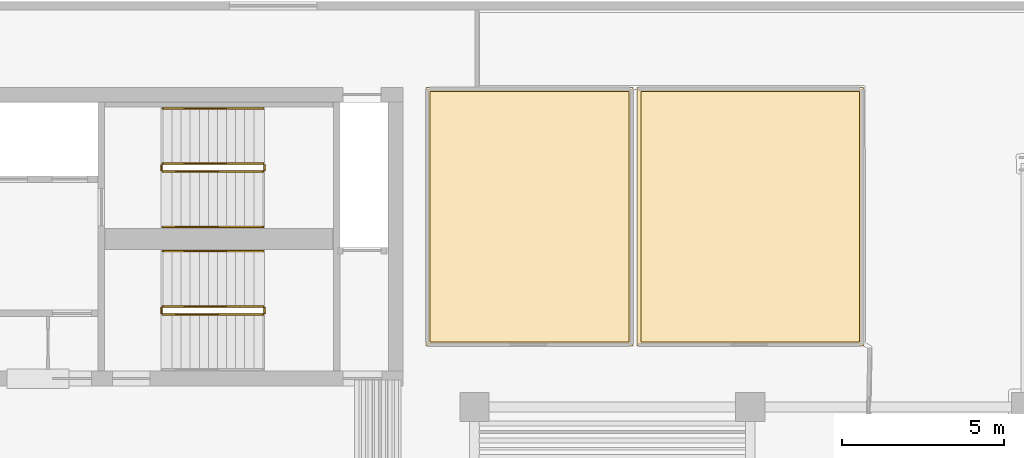
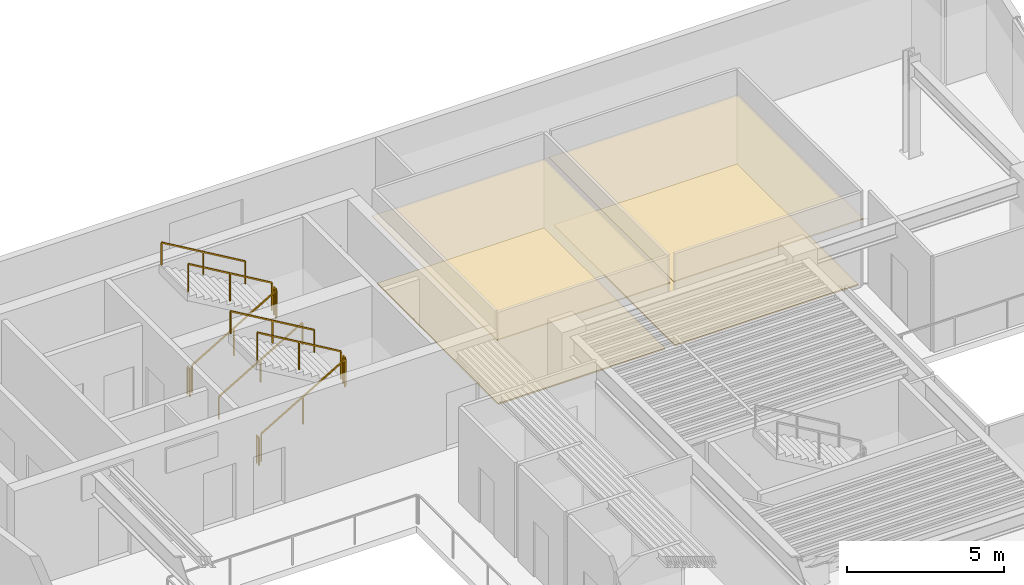
# One storey, part 9 of 10: 11 railings, 4 coverings.
"""IFC4 building model written with IfcOpenShell, lengths in metres."""

import ifcopenshell
import ifcopenshell.guid

model = None  # the IFC model being written
_history = None  # IfcOwnerHistory: only IFC2X3 demands one
_inside = {}  # id of a spatial element -> (the spatial element, [elements in it])
_under = {}  # id of a project, library or spatial element -> (it, [spatial elements below it])
_declared = {}  # id of a project -> (the project, [libraries it declares])
_typed = {}  # id of a type object -> (the type object, [elements of that type])
_made_of = {}  # id of a material, layer set ... -> (it, [elements and type objects made of it])


def new_model(schema):
    """Start an empty IFC model of exactly this schema.

    Asked for "IFC4X3", IfcOpenShell would pick the latest addendum, in which some entities
    have other attributes; the version numbers below select the first issue.
    IFC2X3 requires an IfcOwnerHistory on every rooted entity: one is made here for all.
    """
    global model, _history
    if schema == "IFC4X3":
        model = ifcopenshell.file(schema_version=(4, 3, 0, 0))
    else:
        model = ifcopenshell.file(schema=schema)
    _inside.clear()
    _under.clear()
    _declared.clear()
    _typed.clear()
    _made_of.clear()
    _history = None
    if model.schema == "IFC2X3":
        org = make("IfcOrganization", Name="unknown")
        user = make(
            "IfcPersonAndOrganization",
            ThePerson=make("IfcPerson", FamilyName="unknown"),
            TheOrganization=org,
        )
        app = make(
            "IfcApplication",
            ApplicationDeveloper=org,
            Version="unknown",
            ApplicationFullName="unknown",
            ApplicationIdentifier="unknown",
        )
        _history = make(
            "IfcOwnerHistory",
            OwningUser=user,
            OwningApplication=app,
            ChangeAction="ADDED",
            CreationDate=0,
        )
    return model


def make(cls, **values):
    """One entity of the class cls with the attributes given. An attribute that is None is left unset."""
    return model.create_entity(
        cls, **{name: value for name, value in values.items() if value is not None}
    )


def rooted(cls, **values):
    """An entity with a GlobalId (a new one), such as an element, a storey or a relation."""
    return make(cls, GlobalId=ifcopenshell.guid.new(), OwnerHistory=_history, **values)


def si_unit(unit_type, name, prefix=None):
    """IfcSIUnit, for example si_unit("LENGTHUNIT", "METRE", prefix="MILLI")."""
    return make("IfcSIUnit", UnitType=unit_type, Prefix=prefix, Name=name)


def assignment(units):
    """IfcUnitAssignment: the units of a project."""
    return None if units is None else make("IfcUnitAssignment", Units=units)


def point(xyz):
    """IfcCartesianPoint."""
    return None if xyz is None else make("IfcCartesianPoint", Coordinates=xyz)


def direction(xyz):
    """IfcDirection."""
    return None if xyz is None else make("IfcDirection", DirectionRatios=xyz)


def frame(location, z_axis=None, x_axis=None):
    """IfcAxis2Placement3D, a coordinate frame: its origin and axes. An axis left out is left unset."""
    return make(
        "IfcAxis2Placement3D",
        Location=point(location),
        Axis=direction(z_axis),
        RefDirection=direction(x_axis),
    )


def frame_2d(location, x_axis=None):
    """IfcAxis2Placement2D, a coordinate frame in the plane: its origin and x axis."""
    return make(
        "IfcAxis2Placement2D", Location=point(location), RefDirection=direction(x_axis)
    )


def origin():
    """The frame at (0, 0, 0) with its axes left unset."""
    return frame((0.0, 0.0, 0.0))


def origin_2d():
    """The frame at (0, 0) in the plane with its x axis left unset."""
    return frame_2d((0.0, 0.0))


def place(relative_to, where):
    """IfcLocalPlacement: puts the frame where relative to a parent placement (None: the world)."""
    return make(
        "IfcLocalPlacement", PlacementRelTo=relative_to, RelativePlacement=where
    )


def context(
    kind, dimensions, precision=None, world=None, true_north=None, identifier=None
):
    """IfcGeometricRepresentationContext, for example the 3D "Model" context."""
    return make(
        "IfcGeometricRepresentationContext",
        ContextIdentifier=identifier,
        ContextType=kind,
        CoordinateSpaceDimension=dimensions,
        Precision=precision,
        WorldCoordinateSystem=world,
        TrueNorth=true_north,
    )


def subcontext(parent, identifier, kind, view, scale=None):
    """IfcGeometricRepresentationSubContext, for example "Body" below "Model"."""
    return make(
        "IfcGeometricRepresentationSubContext",
        ContextIdentifier=identifier,
        ContextType=kind,
        ParentContext=parent,
        TargetScale=scale,
        TargetView=view,
    )


def project(units=None, contexts=None):
    """IfcProject with its units and contexts."""
    return rooted(
        "IfcProject",
        Name="project",
        RepresentationContexts=contexts,
        UnitsInContext=assignment(units),
    )


def spatial(cls, under=None, at=None, **own):
    """A site, building, storey or space (cls), placed at a placement, below another one or the project."""
    s = rooted(cls, ObjectPlacement=at, **own)
    if under is not None:
        _under.setdefault(under.id(), (under, []))[1].append(s)
    return s


def polyline(points):
    """IfcPolyline through the points."""
    return make("IfcPolyline", Points=[point(p) for p in points])


def profile(cls, at=None, kind="AREA", **sizes):
    """A parametric profile (cls). Its sizes go by their IFC names, for example OverallWidth=200.0."""
    return make(cls, ProfileType=kind, Position=at, **sizes)


def rectangle(**sizes):
    """IfcRectangleProfileDef."""
    return profile("IfcRectangleProfileDef", **sizes)


def outline(outer, holes=None, kind="AREA"):
    """IfcArbitraryClosedProfileDef: a profile drawn as a closed curve; with holes, ...WithVoids."""
    if holes is None:
        return make("IfcArbitraryClosedProfileDef", ProfileType=kind, OuterCurve=outer)
    return make(
        "IfcArbitraryProfileDefWithVoids",
        ProfileType=kind,
        OuterCurve=outer,
        InnerCurves=holes,
    )


def extrude(swept, where, along, depth):
    """IfcExtrudedAreaSolid: the profile swept, set in the frame where, extruded along a direction by depth."""
    return make(
        "IfcExtrudedAreaSolid",
        SweptArea=swept,
        Position=where,
        ExtrudedDirection=direction(along),
        Depth=depth,
    )


def shape(context_of_items, identifier, shape_type, items):
    """IfcShapeRepresentation: the items that make up one representation, for example the "Body"."""
    return make(
        "IfcShapeRepresentation",
        ContextOfItems=context_of_items,
        RepresentationIdentifier=identifier,
        RepresentationType=shape_type,
        Items=items,
    )


def material(Name=None, Category=None):
    """IfcMaterial."""
    return make("IfcMaterial", Name=Name, Category=Category)


def layer(
    of_material, thickness, ventilated=None, Name=None, Category=None, Priority=None
):
    """IfcMaterialLayer: one layer of a wall or slab, of a material (None: an air gap)."""
    return make(
        "IfcMaterialLayer",
        Material=of_material,
        LayerThickness=thickness,
        IsVentilated=ventilated,
        Name=Name,
        Category=Category,
        Priority=Priority,
    )


def layer_set(layers, Name=None):
    """IfcMaterialLayerSet."""
    return make("IfcMaterialLayerSet", MaterialLayers=layers, LayerSetName=Name)


def made_of(thing, what):
    """Note that an element or type object is made of a material, layer set ...; save() writes the relation."""
    if what is not None:
        _made_of.setdefault(what.id(), (what, []))[1].append(thing)
    return thing


def type_object(cls, material=None, **own):
    """A type object (cls), such as IfcWallType, which elements share."""
    return made_of(rooted(cls, **own), material)


def element(
    cls,
    number,
    at=None,
    inside=None,
    cuts=None,
    type_object=None,
    material=None,
    context=None,
    identifier="Body",
    shape_type=None,
    held_by="IfcProductDefinitionShape",
    body=None,
    shapes=None,
    **own,
):
    """One element of the class cls, such as IfcWall. Its Tag is "e" and its number.

    at: its placement. inside: the storey or other place that contains it. cuts: it is an
    opening in that element (IfcRelVoidsElement). A single representation is given by context,
    identifier, shape_type and body (its items); several are given by shapes. held_by: the class
    of the entity that holds the representations. save() writes the other relations.
    """
    e = rooted(cls, Tag="e%d" % number, ObjectPlacement=at, **own)
    if body is not None:
        shapes = [shape(context, identifier, shape_type, body)]
    if shapes is not None:
        e.Representation = make(held_by, Representations=shapes)
    if inside is not None:
        _inside.setdefault(inside.id(), (inside, []))[1].append(e)
    if cuts is not None:
        rooted(
            "IfcRelVoidsElement", RelatingBuildingElement=cuts, RelatedOpeningElement=e
        )
    if type_object is not None:
        _typed.setdefault(type_object.id(), (type_object, []))[1].append(e)
    return made_of(e, material)


def aggregate(whole, parts):
    """IfcRelAggregates: a whole, such as a stair, and the parts it consists of."""
    return rooted("IfcRelAggregates", RelatingObject=whole, RelatedObjects=parts)


def save(model, path):
    """Write the relations noted so far, then the file.

    IfcRelAggregates (storeys below a building ...), IfcRelContainedInSpatialStructure (elements
    in a storey), IfcRelDefinesByType, IfcRelAssociatesMaterial and IfcRelDeclares: one each for
    every whole, place, type object, material and project.
    """
    for whole, parts in _under.values():
        aggregate(whole, parts)
    for where, things in _inside.values():
        rooted(
            "IfcRelContainedInSpatialStructure",
            RelatedElements=things,
            RelatingStructure=where,
        )
    for kind, things in _typed.values():
        rooted("IfcRelDefinesByType", RelatedObjects=things, RelatingType=kind)
    for what, things in _made_of.values():
        rooted("IfcRelAssociatesMaterial", RelatedObjects=things, RelatingMaterial=what)
    for by, libraries in _declared.values():
        rooted("IfcRelDeclares", RelatingContext=by, RelatedDefinitions=libraries)
    model.write(path)


model = new_model("IFC4")

# Units and contexts
model_context = context("Model", 3, precision=1e-05, world=origin(), true_north=direction((0.0, 1.0)))
body_context = subcontext(model_context, "Body", "Model", "MODEL_VIEW")
ifc_project = project(units=[si_unit("LENGTHUNIT", "METRE"), si_unit("AREAUNIT", "SQUARE_METRE"), si_unit("VOLUMEUNIT", "CUBIC_METRE"), si_unit("PLANEANGLEUNIT", "RADIAN"), si_unit("MASSUNIT", "GRAM", prefix="KILO")], contexts=[model_context])

# Site, building, storey
site_placement = place(None, origin())
site = spatial("IfcSite", under=ifc_project, at=site_placement, CompositionType="ELEMENT")
building_placement = place(site_placement, origin())
building = spatial("IfcBuilding", under=site, at=building_placement, Name="Caeloran Harvest Quay", CompositionType="ELEMENT")
storey_placement = place(building_placement, frame((0.0, 0.0, 191.64990234375)))
storey = spatial("IfcBuildingStorey", under=building, at=storey_placement, Name="L45", CompositionType="ELEMENT", Elevation=191.64990234375)

# Coverings
ifc_material_1 = material(Name="Perforated Mineral-Fibre Acoustic Ceiling Tile", Category="ceiling")
ifc_layer_1 = layer(ifc_material_1, 0.0400390625, Name="Perforated Mineral-Fibre Acoustic Ceiling Tile")
ifc_layer_set_1 = layer_set([ifc_layer_1], Name="Perforated Mineral-Fibre Acoustic Ceiling Tile")
covering_type_1 = type_object("IfcCoveringType", Name="COV-CEILING-ACOUSTIC", PredefinedType="CEILING", material=ifc_layer_set_1)
covering_1_placement = place(storey_placement, frame((0.0, 0.0, 2.60009765625)))
element("IfcCovering", 1, at=covering_1_placement, inside=storey, type_object=covering_type_1, Name="L45 Bioinformatics and Crop Phenotyping Laboratory Acoustic Ceiling", PredefinedType="CEILING", context=body_context, shape_type="SweptSolid", body=[
    extrude(outline(polyline([(30.389892578125, 40.840087890625), (30.389892578125, 32.8798828125), (24.010009765625, 32.8798828125), (24.010009765625, 40.840087890625), (30.389892578125, 40.840087890625)])), origin(), (0.0, 0.0, 1.0), 0.0400390625),
])
covering_2_placement = place(storey_placement, frame((0.0, 0.0, 2.60009765625)))
element("IfcCovering", 2, at=covering_2_placement, inside=storey, type_object=covering_type_1, Name="L45 Agri-Genomics Executive Strategy Boardroom Acoustic Ceiling", PredefinedType="CEILING", context=body_context, shape_type="SweptSolid", body=[
    extrude(outline(polyline([(37.489990234375, 40.840087890625), (37.489990234375, 32.8798828125), (30.510009765625, 32.8798828125), (30.510009765625, 40.840087890625), (37.489990234375, 40.840087890625)])), origin(), (0.0, 0.0, 1.0), 0.0400390625),
])
ifc_material_2 = material(Name="Calcium-Sulphate Raised Access Floor and Terrazzo Finish", Category="flooring")
ifc_layer_2 = layer(ifc_material_2, 0.050048828125, Name="Calcium-Sulphate Raised Access Floor and Terrazzo Finish")
ifc_layer_set_2 = layer_set([ifc_layer_2], Name="Calcium-Sulphate Raised Access Floor and Terrazzo Finish")
covering_type_2 = type_object("IfcCoveringType", Name="COV-FLOOR-RAISED", PredefinedType="FLOORING", material=ifc_layer_set_2)
covering_3_placement = place(storey_placement, origin())
element("IfcCovering", 3, at=covering_3_placement, inside=storey, type_object=covering_type_2, Name="L45 Bioinformatics and Crop Phenotyping Laboratory Raised Finish Flooring", PredefinedType="FLOORING", context=body_context, shape_type="SweptSolid", body=[
    extrude(outline(polyline([(30.27001953125, 40.719970703125), (30.27001953125, 33.0), (24.1298828125, 33.0), (24.1298828125, 40.719970703125), (30.27001953125, 40.719970703125)])), origin(), (0.0, 0.0, 1.0), 0.050048828125),
])
covering_4_placement = place(storey_placement, origin())
element("IfcCovering", 4, at=covering_4_placement, inside=storey, type_object=covering_type_2, Name="L45 Agri-Genomics Executive Strategy Boardroom Raised Finish Flooring", PredefinedType="FLOORING", context=body_context, shape_type="SweptSolid", body=[
    extrude(outline(polyline([(37.3701171875, 40.719970703125), (37.3701171875, 33.0), (30.6298828125, 33.0), (30.6298828125, 40.719970703125), (37.3701171875, 40.719970703125)])), origin(), (0.0, 0.0, 1.0), 0.050048828125),
])

# Railings
ifc_material_3 = material(Name="Painted Steel Baluster and Top-Rail Stair Guard", Category="steel")
ifc_layer_3 = layer(ifc_material_3, 0.050048828125, Name="Painted Steel Baluster and Top-Rail Stair Guard")
ifc_layer_set_3 = layer_set([ifc_layer_3], Name="Painted Steel Baluster and Top-Rail Stair Guard")
railing_type_1 = type_object("IfcRailingType", Name="STAIR-GUARD-1100", PredefinedType="GUARDRAIL", material=ifc_layer_set_3)
railing_1_placement = place(storey_placement, frame((15.89990234375, 38.25, 0.164794921875)))
element("IfcRailing", 5, at=railing_1_placement, inside=storey, type_object=railing_type_1, Name="L45 ST-C1 stair guard 1", PredefinedType="GUARDRAIL", context=body_context, shape_type="SweptSolid", body=[
    extrude(rectangle(XDim=0.048095703125, YDim=0.048095703125, at=origin_2d()), frame((0.0, 0.0, 1.076171875), z_axis=(0.862118610829, 0.0, 0.506706523406), x_axis=(0.0, 1.0, 0.0)), (0.0, 0.0, 1.0), 3.57275390625),
    extrude(rectangle(XDim=0.0419921875, YDim=0.0419921875, at=origin_2d()), origin(), (0.0, 0.0, 1.0), 1.052001953125),
    extrude(rectangle(XDim=0.0419921875, YDim=0.0419921875, at=origin_2d()), frame((1.5400390625, 0.0, 0.9052734375)), (0.0, 0.0, 1.0), 1.052001953125),
    extrude(rectangle(XDim=0.0419921875, YDim=0.0419921875, at=origin_2d()), frame((3.080078125, 0.0, 1.810302734375)), (0.0, 0.0, 1.0), 1.052001953125),
])
railing_2_placement = place(storey_placement, frame((19.030029296875, 38.300048828125, 1.97509765625)))
element("IfcRailing", 6, at=railing_2_placement, inside=storey, type_object=railing_type_1, Name="L45 ST-C1 stair guard 2", PredefinedType="GUARDRAIL", context=body_context, shape_type="SweptSolid", body=[
    extrude(rectangle(XDim=0.048095703125, YDim=0.048095703125, at=origin_2d()), frame((0.0, 0.0, 1.076171875), z_axis=(0.0, 1.0, 0.0), x_axis=(-1.0, 0.0, 0.0)), (0.0, 0.0, 1.0), 0.14990234375),
    extrude(rectangle(XDim=0.0419921875, YDim=0.0419921875, at=origin_2d()), origin(), (0.0, 0.0, 1.0), 1.052001953125),
    extrude(rectangle(XDim=0.0419921875, YDim=0.0419921875, at=origin_2d()), frame((0.0, 0.14990234375, 0.0)), (0.0, 0.0, 1.0), 1.052001953125),
])
railing_3_placement = place(storey_placement, frame((18.97998046875, 38.5, 2.1396484375)))
element("IfcRailing", 7, at=railing_3_placement, inside=storey, type_object=railing_type_1, Name="L45 ST-C1 stair guard 3", PredefinedType="GUARDRAIL", context=body_context, shape_type="SweptSolid", body=[
    extrude(rectangle(XDim=0.048095703125, YDim=0.048095703125, at=origin_2d()), frame((0.0, 0.0, 1.076171875), z_axis=(-0.862088758681, 0.0, 0.506757310905), x_axis=(0.0, -1.0, 0.0)), (0.0, 0.0, 1.0), 3.57275390625),
    extrude(rectangle(XDim=0.0419921875, YDim=0.0419921875, at=origin_2d()), origin(), (0.0, 0.0, 1.0), 1.052001953125),
    extrude(rectangle(XDim=0.0419921875, YDim=0.0419921875, at=origin_2d()), frame((-1.5400390625, 0.0, 0.9052734375)), (0.0, 0.0, 1.0), 1.052001953125),
    extrude(rectangle(XDim=0.0419921875, YDim=0.0419921875, at=origin_2d()), frame((-3.080078125, 0.0, 1.810546875)), (0.0, 0.0, 1.0), 1.052001953125),
])
railing_4_placement = place(storey_placement, frame((15.85009765625, 38.300048828125, 0.0)))
element("IfcRailing", 8, at=railing_4_placement, inside=storey, type_object=railing_type_1, Name="L45 ST-C1 stair guard 4", PredefinedType="GUARDRAIL", context=body_context, shape_type="SweptSolid", body=[
    extrude(rectangle(XDim=0.048095703125, YDim=0.048095703125, at=origin_2d()), frame((0.0, 0.0, 1.076171875), z_axis=(0.0, 1.0, 0.0), x_axis=(-1.0, 0.0, 0.0)), (0.0, 0.0, 1.0), 0.14990234375),
    extrude(rectangle(XDim=0.0419921875, YDim=0.0419921875, at=origin_2d()), origin(), (0.0, 0.0, 1.0), 1.052001953125),
    extrude(rectangle(XDim=0.0419921875, YDim=0.0419921875, at=origin_2d()), frame((0.0, 0.14990234375, 0.0)), (0.0, 0.0, 1.0), 1.052001953125),
])
railing_5_placement = place(storey_placement, frame((15.89990234375, 33.85009765625, 0.164794921875)))
element("IfcRailing", 9, at=railing_5_placement, inside=storey, type_object=railing_type_1, Name="L45 ST-C2 stair guard 1", PredefinedType="GUARDRAIL", context=body_context, shape_type="SweptSolid", body=[
    extrude(rectangle(XDim=0.048095703125, YDim=0.048095703125, at=origin_2d()), frame((0.0, 0.0, 1.076171875), z_axis=(0.862118610829, 0.0, 0.506706523406), x_axis=(0.0, 1.0, 0.0)), (0.0, 0.0, 1.0), 3.57275390625),
    extrude(rectangle(XDim=0.0419921875, YDim=0.0419921875, at=origin_2d()), origin(), (0.0, 0.0, 1.0), 1.052001953125),
    extrude(rectangle(XDim=0.0419921875, YDim=0.0419921875, at=origin_2d()), frame((1.5400390625, 0.0, 0.9052734375)), (0.0, 0.0, 1.0), 1.052001953125),
    extrude(rectangle(XDim=0.0419921875, YDim=0.0419921875, at=origin_2d()), frame((3.080078125, 0.0, 1.810302734375)), (0.0, 0.0, 1.0), 1.052001953125),
])
railing_6_placement = place(storey_placement, frame((19.030029296875, 33.89990234375, 1.97509765625)))
element("IfcRailing", 10, at=railing_6_placement, inside=storey, type_object=railing_type_1, Name="L45 ST-C2 stair guard 2", PredefinedType="GUARDRAIL", context=body_context, shape_type="SweptSolid", body=[
    extrude(rectangle(XDim=0.048095703125, YDim=0.048095703125, at=origin_2d()), frame((0.0, 0.0, 1.076171875), z_axis=(0.0, 1.0, 0.0), x_axis=(-1.0, 0.0, 0.0)), (0.0, 0.0, 1.0), 0.150146484375),
    extrude(rectangle(XDim=0.0419921875, YDim=0.0419921875, at=origin_2d()), origin(), (0.0, 0.0, 1.0), 1.052001953125),
    extrude(rectangle(XDim=0.0419921875, YDim=0.0419921875, at=origin_2d()), frame((0.0, 0.150146484375, 0.0)), (0.0, 0.0, 1.0), 1.052001953125),
])
railing_7_placement = place(storey_placement, frame((18.97998046875, 34.10009765625, 2.1396484375)))
element("IfcRailing", 11, at=railing_7_placement, inside=storey, type_object=railing_type_1, Name="L45 ST-C2 stair guard 3", PredefinedType="GUARDRAIL", context=body_context, shape_type="SweptSolid", body=[
    extrude(rectangle(XDim=0.048095703125, YDim=0.048095703125, at=origin_2d()), frame((0.0, 0.0, 1.076171875), z_axis=(-0.862088758681, 0.0, 0.506757310905), x_axis=(0.0, -1.0, 0.0)), (0.0, 0.0, 1.0), 3.57275390625),
    extrude(rectangle(XDim=0.0419921875, YDim=0.0419921875, at=origin_2d()), origin(), (0.0, 0.0, 1.0), 1.052001953125),
    extrude(rectangle(XDim=0.0419921875, YDim=0.0419921875, at=origin_2d()), frame((-1.5400390625, 0.0, 0.9052734375)), (0.0, 0.0, 1.0), 1.052001953125),
    extrude(rectangle(XDim=0.0419921875, YDim=0.0419921875, at=origin_2d()), frame((-3.080078125, 0.0, 1.810546875)), (0.0, 0.0, 1.0), 1.052001953125),
])
railing_8_placement = place(storey_placement, frame((15.85009765625, 33.89990234375, 0.0)))
element("IfcRailing", 12, at=railing_8_placement, inside=storey, type_object=railing_type_1, Name="L45 ST-C2 stair guard 4", PredefinedType="GUARDRAIL", context=body_context, shape_type="SweptSolid", body=[
    extrude(rectangle(XDim=0.048095703125, YDim=0.048095703125, at=origin_2d()), frame((0.0, 0.0, 1.076171875), z_axis=(0.0, 1.0, 0.0), x_axis=(-1.0, 0.0, 0.0)), (0.0, 0.0, 1.0), 0.150146484375),
    extrude(rectangle(XDim=0.0419921875, YDim=0.0419921875, at=origin_2d()), origin(), (0.0, 0.0, 1.0), 1.052001953125),
    extrude(rectangle(XDim=0.0419921875, YDim=0.0419921875, at=origin_2d()), frame((0.0, 0.150146484375, 0.0)), (0.0, 0.0, 1.0), 1.052001953125),
])
ifc_material_4 = material(Name="Brushed Stainless Steel Grade 304", Category="steel")
ifc_layer_4 = layer(ifc_material_4, 0.050048828125, Name="Brushed Stainless Steel Grade 304")
ifc_layer_set_4 = layer_set([ifc_layer_4], Name="Brushed Stainless Steel Grade 304")
railing_type_2 = type_object("IfcRailingType", Name="STAIR-HANDRAIL-900", PredefinedType="HANDRAIL", material=ifc_layer_set_4)
railing_9_placement = place(storey_placement, frame((15.89990234375, 36.550048828125, 0.164794921875)))
element("IfcRailing", 13, at=railing_9_placement, inside=storey, type_object=railing_type_2, Name="L45 ST-C1 stair handrail 1", PredefinedType="HANDRAIL", context=body_context, shape_type="SweptSolid", body=[
    extrude(rectangle(XDim=0.048095703125, YDim=0.048095703125, at=origin_2d()), frame((0.0, 0.0, 0.8759765625), z_axis=(0.862118610829, 0.0, 0.506706523406), x_axis=(0.0, 1.0, 0.0)), (0.0, 0.0, 1.0), 3.57275390625),
    extrude(rectangle(XDim=0.0419921875, YDim=0.0419921875, at=origin_2d()), origin(), (0.0, 0.0, 1.0), 0.851806640625),
    extrude(rectangle(XDim=0.0419921875, YDim=0.0419921875, at=origin_2d()), frame((1.5400390625, 0.0, 0.9052734375)), (0.0, 0.0, 1.0), 0.851806640625),
    extrude(rectangle(XDim=0.0419921875, YDim=0.0419921875, at=origin_2d()), frame((3.080078125, 0.0, 1.810302734375)), (0.0, 0.0, 1.0), 0.851806640625),
])
for number, where, name in (
    (14, (18.97998046875, 40.199951171875, 2.1396484375), "L45 ST-C1 stair handrail 2"),
    (15, (18.97998046875, 35.800048828125, 2.1396484375), "L45 ST-C2 stair handrail 2"),
):
    element("IfcRailing", number, at=place(storey_placement, frame(where)), inside=storey, type_object=railing_type_2, Name=name, PredefinedType="HANDRAIL", context=body_context, shape_type="SweptSolid", body=[
        extrude(rectangle(XDim=0.048095703125, YDim=0.048095703125, at=origin_2d()), frame((0.0, 0.0, 0.8759765625), z_axis=(-0.862088758681, 0.0, 0.506757310905), x_axis=(0.0, -1.0, 0.0)), (0.0, 0.0, 1.0), 3.57275390625),
        extrude(rectangle(XDim=0.0419921875, YDim=0.0419921875, at=origin_2d()), origin(), (0.0, 0.0, 1.0), 0.851806640625),
        extrude(rectangle(XDim=0.0419921875, YDim=0.0419921875, at=origin_2d()), frame((-1.5400390625, 0.0, 0.9052734375)), (0.0, 0.0, 1.0), 0.851806640625),
        extrude(rectangle(XDim=0.0419921875, YDim=0.0419921875, at=origin_2d()), frame((-3.080078125, 0.0, 1.810546875)), (0.0, 0.0, 1.0), 0.851806640625),
    ])

save(model, "model.ifc")
